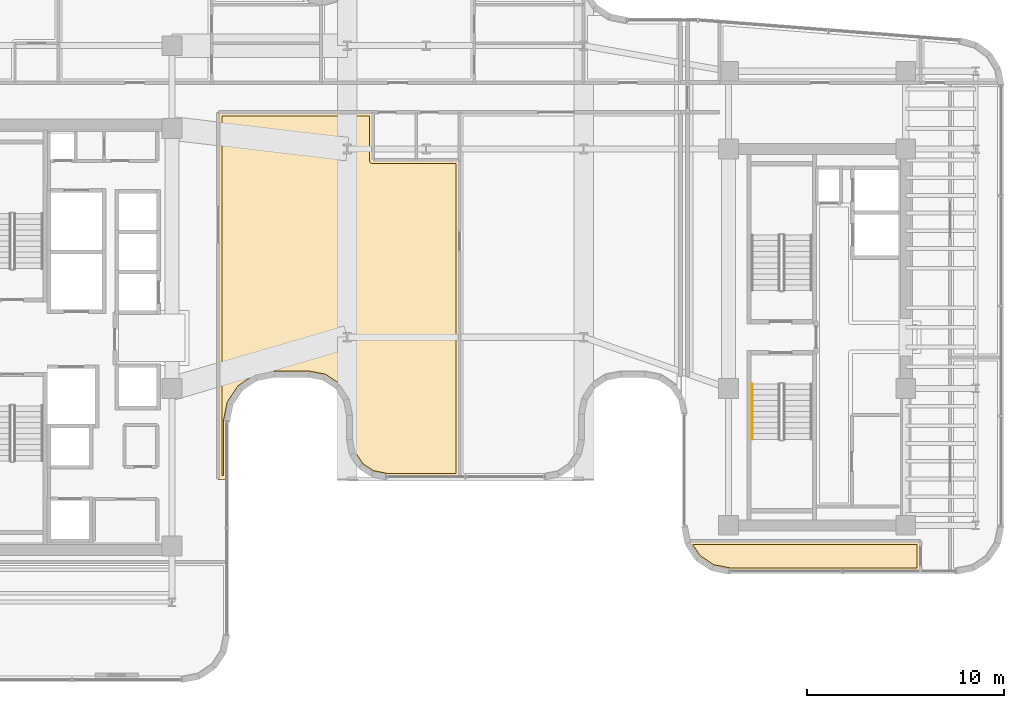
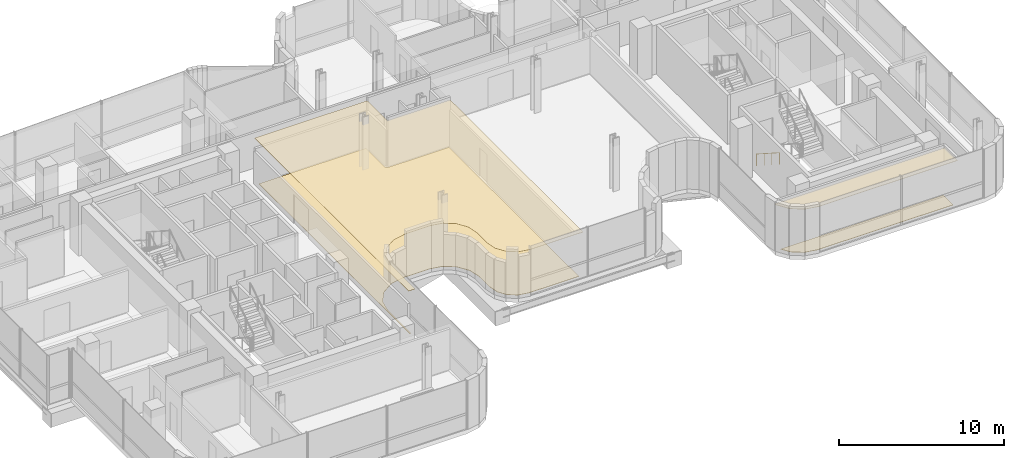
# One storey, part 34 of 38: 4 coverings, 1 railing.
"""IFC4 building model written with IfcOpenShell, lengths in metres."""

import ifcopenshell
import ifcopenshell.guid

model = None  # the IFC model being written
_history = None  # IfcOwnerHistory: only IFC2X3 demands one
_inside = {}  # id of a spatial element -> (the spatial element, [elements in it])
_under = {}  # id of a project, library or spatial element -> (it, [spatial elements below it])
_declared = {}  # id of a project -> (the project, [libraries it declares])
_typed = {}  # id of a type object -> (the type object, [elements of that type])
_made_of = {}  # id of a material, layer set ... -> (it, [elements and type objects made of it])


def new_model(schema):
    """Start an empty IFC model of exactly this schema.

    Asked for "IFC4X3", IfcOpenShell would pick the latest addendum, in which some entities
    have other attributes; the version numbers below select the first issue.
    IFC2X3 requires an IfcOwnerHistory on every rooted entity: one is made here for all.
    """
    global model, _history
    if schema == "IFC4X3":
        model = ifcopenshell.file(schema_version=(4, 3, 0, 0))
    else:
        model = ifcopenshell.file(schema=schema)
    _inside.clear()
    _under.clear()
    _declared.clear()
    _typed.clear()
    _made_of.clear()
    _history = None
    if model.schema == "IFC2X3":
        org = make("IfcOrganization", Name="unknown")
        user = make(
            "IfcPersonAndOrganization",
            ThePerson=make("IfcPerson", FamilyName="unknown"),
            TheOrganization=org,
        )
        app = make(
            "IfcApplication",
            ApplicationDeveloper=org,
            Version="unknown",
            ApplicationFullName="unknown",
            ApplicationIdentifier="unknown",
        )
        _history = make(
            "IfcOwnerHistory",
            OwningUser=user,
            OwningApplication=app,
            ChangeAction="ADDED",
            CreationDate=0,
        )
    return model


def make(cls, **values):
    """One entity of the class cls with the attributes given. An attribute that is None is left unset."""
    return model.create_entity(
        cls, **{name: value for name, value in values.items() if value is not None}
    )


def rooted(cls, **values):
    """An entity with a GlobalId (a new one), such as an element, a storey or a relation."""
    return make(cls, GlobalId=ifcopenshell.guid.new(), OwnerHistory=_history, **values)


def si_unit(unit_type, name, prefix=None):
    """IfcSIUnit, for example si_unit("LENGTHUNIT", "METRE", prefix="MILLI")."""
    return make("IfcSIUnit", UnitType=unit_type, Prefix=prefix, Name=name)


def assignment(units):
    """IfcUnitAssignment: the units of a project."""
    return None if units is None else make("IfcUnitAssignment", Units=units)


def point(xyz):
    """IfcCartesianPoint."""
    return None if xyz is None else make("IfcCartesianPoint", Coordinates=xyz)


def direction(xyz):
    """IfcDirection."""
    return None if xyz is None else make("IfcDirection", DirectionRatios=xyz)


def frame(location, z_axis=None, x_axis=None):
    """IfcAxis2Placement3D, a coordinate frame: its origin and axes. An axis left out is left unset."""
    return make(
        "IfcAxis2Placement3D",
        Location=point(location),
        Axis=direction(z_axis),
        RefDirection=direction(x_axis),
    )


def frame_2d(location, x_axis=None):
    """IfcAxis2Placement2D, a coordinate frame in the plane: its origin and x axis."""
    return make(
        "IfcAxis2Placement2D", Location=point(location), RefDirection=direction(x_axis)
    )


def origin():
    """The frame at (0, 0, 0) with its axes left unset."""
    return frame((0.0, 0.0, 0.0))


def origin_2d():
    """The frame at (0, 0) in the plane with its x axis left unset."""
    return frame_2d((0.0, 0.0))


def place(relative_to, where):
    """IfcLocalPlacement: puts the frame where relative to a parent placement (None: the world)."""
    return make(
        "IfcLocalPlacement", PlacementRelTo=relative_to, RelativePlacement=where
    )


def context(
    kind, dimensions, precision=None, world=None, true_north=None, identifier=None
):
    """IfcGeometricRepresentationContext, for example the 3D "Model" context."""
    return make(
        "IfcGeometricRepresentationContext",
        ContextIdentifier=identifier,
        ContextType=kind,
        CoordinateSpaceDimension=dimensions,
        Precision=precision,
        WorldCoordinateSystem=world,
        TrueNorth=true_north,
    )


def subcontext(parent, identifier, kind, view, scale=None):
    """IfcGeometricRepresentationSubContext, for example "Body" below "Model"."""
    return make(
        "IfcGeometricRepresentationSubContext",
        ContextIdentifier=identifier,
        ContextType=kind,
        ParentContext=parent,
        TargetScale=scale,
        TargetView=view,
    )


def project(units=None, contexts=None):
    """IfcProject with its units and contexts."""
    return rooted(
        "IfcProject",
        Name="project",
        RepresentationContexts=contexts,
        UnitsInContext=assignment(units),
    )


def spatial(cls, under=None, at=None, **own):
    """A site, building, storey or space (cls), placed at a placement, below another one or the project."""
    s = rooted(cls, ObjectPlacement=at, **own)
    if under is not None:
        _under.setdefault(under.id(), (under, []))[1].append(s)
    return s


def polyline(points):
    """IfcPolyline through the points."""
    return make("IfcPolyline", Points=[point(p) for p in points])


def profile(cls, at=None, kind="AREA", **sizes):
    """A parametric profile (cls). Its sizes go by their IFC names, for example OverallWidth=200.0."""
    return make(cls, ProfileType=kind, Position=at, **sizes)


def circle(**sizes):
    """IfcCircleProfileDef."""
    return profile("IfcCircleProfileDef", **sizes)


def outline(outer, holes=None, kind="AREA"):
    """IfcArbitraryClosedProfileDef: a profile drawn as a closed curve; with holes, ...WithVoids."""
    if holes is None:
        return make("IfcArbitraryClosedProfileDef", ProfileType=kind, OuterCurve=outer)
    return make(
        "IfcArbitraryProfileDefWithVoids",
        ProfileType=kind,
        OuterCurve=outer,
        InnerCurves=holes,
    )


def extrude(swept, where, along, depth):
    """IfcExtrudedAreaSolid: the profile swept, set in the frame where, extruded along a direction by depth."""
    return make(
        "IfcExtrudedAreaSolid",
        SweptArea=swept,
        Position=where,
        ExtrudedDirection=direction(along),
        Depth=depth,
    )


def shape(context_of_items, identifier, shape_type, items):
    """IfcShapeRepresentation: the items that make up one representation, for example the "Body"."""
    return make(
        "IfcShapeRepresentation",
        ContextOfItems=context_of_items,
        RepresentationIdentifier=identifier,
        RepresentationType=shape_type,
        Items=items,
    )


def material(Name=None, Category=None):
    """IfcMaterial."""
    return make("IfcMaterial", Name=Name, Category=Category)


def layer(
    of_material, thickness, ventilated=None, Name=None, Category=None, Priority=None
):
    """IfcMaterialLayer: one layer of a wall or slab, of a material (None: an air gap)."""
    return make(
        "IfcMaterialLayer",
        Material=of_material,
        LayerThickness=thickness,
        IsVentilated=ventilated,
        Name=Name,
        Category=Category,
        Priority=Priority,
    )


def layer_set(layers, Name=None):
    """IfcMaterialLayerSet."""
    return make("IfcMaterialLayerSet", MaterialLayers=layers, LayerSetName=Name)


def made_of(thing, what):
    """Note that an element or type object is made of a material, layer set ...; save() writes the relation."""
    if what is not None:
        _made_of.setdefault(what.id(), (what, []))[1].append(thing)
    return thing


def type_object(cls, material=None, **own):
    """A type object (cls), such as IfcWallType, which elements share."""
    return made_of(rooted(cls, **own), material)


def element(
    cls,
    number,
    at=None,
    inside=None,
    cuts=None,
    type_object=None,
    material=None,
    context=None,
    identifier="Body",
    shape_type=None,
    held_by="IfcProductDefinitionShape",
    body=None,
    shapes=None,
    **own,
):
    """One element of the class cls, such as IfcWall. Its Tag is "e" and its number.

    at: its placement. inside: the storey or other place that contains it. cuts: it is an
    opening in that element (IfcRelVoidsElement). A single representation is given by context,
    identifier, shape_type and body (its items); several are given by shapes. held_by: the class
    of the entity that holds the representations. save() writes the other relations.
    """
    e = rooted(cls, Tag="e%d" % number, ObjectPlacement=at, **own)
    if body is not None:
        shapes = [shape(context, identifier, shape_type, body)]
    if shapes is not None:
        e.Representation = make(held_by, Representations=shapes)
    if inside is not None:
        _inside.setdefault(inside.id(), (inside, []))[1].append(e)
    if cuts is not None:
        rooted(
            "IfcRelVoidsElement", RelatingBuildingElement=cuts, RelatedOpeningElement=e
        )
    if type_object is not None:
        _typed.setdefault(type_object.id(), (type_object, []))[1].append(e)
    return made_of(e, material)


def aggregate(whole, parts):
    """IfcRelAggregates: a whole, such as a stair, and the parts it consists of."""
    return rooted("IfcRelAggregates", RelatingObject=whole, RelatedObjects=parts)


def save(model, path):
    """Write the relations noted so far, then the file.

    IfcRelAggregates (storeys below a building ...), IfcRelContainedInSpatialStructure (elements
    in a storey), IfcRelDefinesByType, IfcRelAssociatesMaterial and IfcRelDeclares: one each for
    every whole, place, type object, material and project.
    """
    for whole, parts in _under.values():
        aggregate(whole, parts)
    for where, things in _inside.values():
        rooted(
            "IfcRelContainedInSpatialStructure",
            RelatedElements=things,
            RelatingStructure=where,
        )
    for kind, things in _typed.values():
        rooted("IfcRelDefinesByType", RelatedObjects=things, RelatingType=kind)
    for what, things in _made_of.values():
        rooted("IfcRelAssociatesMaterial", RelatedObjects=things, RelatingMaterial=what)
    for by, libraries in _declared.values():
        rooted("IfcRelDeclares", RelatingContext=by, RelatedDefinitions=libraries)
    model.write(path)


model = new_model("IFC4")

# Units and contexts
model_context = context("Model", 3, precision=1e-05, world=origin(), true_north=direction((0.0, 1.0)))
body_context = subcontext(model_context, "Body", "Model", "MODEL_VIEW")
ifc_project = project(units=[si_unit("LENGTHUNIT", "METRE"), si_unit("AREAUNIT", "SQUARE_METRE"), si_unit("VOLUMEUNIT", "CUBIC_METRE"), si_unit("PLANEANGLEUNIT", "RADIAN"), si_unit("MASSUNIT", "GRAM", prefix="KILO")], contexts=[model_context])

# Site, building, storey
site_placement = place(None, origin())
site = spatial("IfcSite", under=ifc_project, at=site_placement, CompositionType="ELEMENT")
building_placement = place(site_placement, origin())
building = spatial("IfcBuilding", under=site, at=building_placement, Name="Valdorenza Pilgrim Sanctuary Tower", CompositionType="ELEMENT")
storey_placement = place(building_placement, frame((0.0, 0.0, 180.5)))
storey = spatial("IfcBuildingStorey", under=building, at=storey_placement, Name="L46", CompositionType="ELEMENT", Elevation=180.5)

# Coverings
ifc_material_1 = material(Name="Micro-perforated acoustic mineral ceiling tile", Category="gypsum")
ifc_layer_1 = layer(ifc_material_1, 0.02490234375, Name="Micro-perforated acoustic mineral ceiling tile")
ifc_layer_set_1 = layer_set([ifc_layer_1], Name="Micro-perforated acoustic mineral ceiling tile")
covering_type_1 = type_object("IfcCoveringType", Name="COV-CLG-ACU", PredefinedType="CEILING", material=ifc_layer_set_1)
covering_1_placement = place(storey_placement, frame((0.0, 0.0, 3.330078125)))
element("IfcCovering", 1, at=covering_1_placement, inside=storey, type_object=covering_type_1, Name="L46 Congregational Prayer Hall Acoustic Ceiling", PredefinedType="CEILING", context=body_context, shape_type="SweptSolid", body=[
    extrude(outline(polyline([(-10.06494140625, 11.419921875), (-10.06494140625, 11.42138671875), (-10.064697265625, 11.4228515625), (-10.064453125, 11.42431640625), (-10.06396484375, 11.42578125), (-10.063232421875, 11.427001953125), (-10.0625, 11.42822265625), (-10.0615234375, 11.429443359375), (-10.060546875, 11.4306640625), (-10.0595703125, 11.431640625), (-10.058349609375, 11.4326171875), (-10.05712890625, 11.43310546875), (-10.0556640625, 11.433837890625), (-10.054443359375, 11.434326171875), (-10.052978515625, 11.434814453125), (-10.051513671875, 11.434814453125), (-10.050048828125, 11.43505859375), (-2.201904296875, 11.43505859375), (-2.200439453125, 11.434814453125), (-2.19921875, 11.434814453125), (-2.197509765625, 11.434326171875), (-2.1962890625, 11.433837890625), (-2.19482421875, 11.43310546875), (-2.193603515625, 11.4326171875), (-2.1923828125, 11.431640625), (-2.19140625, 11.4306640625), (-2.1904296875, 11.429443359375), (-2.189453125, 11.42822265625), (-2.188720703125, 11.427001953125), (-2.18798828125, 11.42578125), (-2.1875, 11.42431640625), (-2.187255859375, 11.4228515625), (-2.18701171875, 11.42138671875), (-2.18701171875, 11.419921875), (-2.18701171875, 9.012939453125), (-0.001708984375, 9.012939453125), (-0.001220703125, 9.01318359375), (0.00048828125, 9.01318359375), (0.001953125, 9.01318359375), (0.00341796875, 9.01318359375), (0.00390625, 9.012939453125), (2.199951171875, 9.012939453125), (2.201416015625, 9.012939453125), (2.202880859375, 9.0126953125), (2.204345703125, 9.012451171875), (2.205810546875, 9.011962890625), (2.20703125, 9.01123046875), (2.208251953125, 9.010498046875), (2.20947265625, 9.009521484375), (2.210693359375, 9.008544921875), (2.211669921875, 9.007568359375), (2.21240234375, 9.00634765625), (2.213134765625, 9.005126953125), (2.2138671875, 9.003662109375), (2.21435546875, 9.00244140625), (2.214599609375, 9.0009765625), (2.21484375, 8.99951171875), (2.215087890625, 8.998046875), (2.215087890625, -7.090087890625), (2.21484375, -7.091552734375), (2.214599609375, -7.093017578125), (2.21435546875, -7.094482421875), (2.2138671875, -7.095703125), (2.213134765625, -7.09716796875), (2.21240234375, -7.098388671875), (2.211669921875, -7.099609375), (2.210693359375, -7.1005859375), (2.20947265625, -7.1015625), (2.208251953125, -7.1025390625), (2.20703125, -7.103271484375), (2.205810546875, -7.10400390625), (2.204345703125, -7.1044921875), (2.202880859375, -7.104736328125), (2.201416015625, -7.10498046875), (2.199951171875, -7.10498046875), (-1.51318359375, -7.10498046875), (-1.5146484375, -7.10498046875), (-1.51611328125, -7.104736328125), (-2.240234375, -6.960693359375), (-2.24169921875, -6.960205078125), (-2.242919921875, -6.959716796875), (-2.244384765625, -6.959228515625), (-2.24560546875, -6.95849609375), (-2.85009765625, -6.554443359375), (-2.851318359375, -6.553466796875), (-2.8525390625, -6.552490234375), (-2.853515625, -6.551513671875), (-2.8544921875, -6.55029296875), (-3.258544921875, -5.945556640625), (-3.25927734375, -5.9443359375), (-3.259765625, -5.943115234375), (-3.26025390625, -5.941650390625), (-3.2607421875, -5.940185546875), (-3.40478515625, -5.216064453125), (-3.40478515625, -5.214599609375), (-3.405029296875, -5.213134765625), (-3.405029296875, -3.976318359375), (-3.405517578125, -3.966796875), (-3.406982421875, -3.95703125), (-3.55712890625, -3.20166015625), (-3.5595703125, -3.192138671875), (-3.5625, -3.183349609375), (-3.566650390625, -3.175048828125), (-3.571533203125, -3.166748046875), (-3.99951171875, -2.5263671875), (-4.00537109375, -2.5185546875), (-4.01171875, -2.51171875), (-4.0185546875, -2.50537109375), (-4.0263671875, -2.49951171875), (-4.666748046875, -2.071533203125), (-4.675048828125, -2.066650390625), (-4.683349609375, -2.0625), (-4.692138671875, -2.0595703125), (-4.70166015625, -2.05712890625), (-5.45703125, -1.906982421875), (-5.466796875, -1.905517578125), (-5.476318359375, -1.905029296875), (-7.219482421875, -1.905029296875), (-7.229248046875, -1.905517578125), (-7.239013671875, -1.906982421875), (-8.110595703125, -2.080322265625), (-8.1201171875, -2.082763671875), (-8.12890625, -2.085693359375), (-8.13720703125, -2.08984375), (-8.1455078125, -2.0947265625), (-8.884765625, -2.588623046875), (-8.892578125, -2.594482421875), (-8.8994140625, -2.6005859375), (-8.905517578125, -2.607421875), (-8.911376953125, -2.615234375), (-9.4052734375, -3.3544921875), (-9.41015625, -3.36279296875), (-9.414306640625, -3.37109375), (-9.417236328125, -3.3798828125), (-9.419677734375, -3.389404296875), (-9.593017578125, -4.260986328125), (-9.594482421875, -4.270751953125), (-9.594970703125, -4.280517578125), (-9.594970703125, -7.199951171875), (-9.59521484375, -7.201416015625), (-9.59521484375, -7.202880859375), (-9.595703125, -7.204345703125), (-9.59619140625, -7.205810546875), (-9.5966796875, -7.20703125), (-9.597412109375, -7.208251953125), (-9.598388671875, -7.20947265625), (-9.599365234375, -7.210693359375), (-9.6005859375, -7.211669921875), (-9.601806640625, -7.21240234375), (-9.602783203125, -7.213134765625), (-9.604248046875, -7.2138671875), (-9.605712890625, -7.21435546875), (-9.607177734375, -7.214599609375), (-9.6083984375, -7.21484375), (-9.610107421875, -7.215087890625), (-10.050048828125, -7.215087890625), (-10.051513671875, -7.21484375), (-10.052978515625, -7.214599609375), (-10.054443359375, -7.21435546875), (-10.0556640625, -7.2138671875), (-10.05712890625, -7.213134765625), (-10.058349609375, -7.21240234375), (-10.0595703125, -7.211669921875), (-10.060546875, -7.210693359375), (-10.0615234375, -7.20947265625), (-10.0625, -7.208251953125), (-10.063232421875, -7.20703125), (-10.06396484375, -7.205810546875), (-10.064453125, -7.204345703125), (-10.064697265625, -7.202880859375), (-10.06494140625, -7.201416015625), (-10.06494140625, -7.199951171875), (-10.06494140625, 11.419921875)])), origin(), (0.0, 0.0, 1.0), 0.02490234375),
])
covering_2_placement = place(storey_placement, frame((0.0, 0.0, 3.330078125)))
element("IfcCovering", 2, at=covering_2_placement, inside=storey, type_object=covering_type_1, Name="L46 Sacred Manuscript Archive L46-BS Acoustic Ceiling", PredefinedType="CEILING", context=body_context, shape_type="SweptSolid", body=[
    extrude(outline(polyline([(25.614990234375, -11.889892578125), (25.614990234375, -11.8916015625), (25.61474609375, -11.892822265625), (25.614501953125, -11.894287109375), (25.614013671875, -11.895751953125), (25.61328125, -11.897216796875), (25.612548828125, -11.898193359375), (25.611572265625, -11.8994140625), (25.610595703125, -11.900634765625), (25.609619140625, -11.901611328125), (25.6083984375, -11.902587890625), (25.607177734375, -11.9033203125), (25.605712890625, -11.90380859375), (25.6044921875, -11.904296875), (25.602783203125, -11.90478515625), (25.6015625, -11.90478515625), (25.60009765625, -11.905029296875), (15.910888671875, -11.905029296875), (15.909423828125, -11.90478515625), (15.907958984375, -11.90478515625), (15.021484375, -11.728515625), (15.020263671875, -11.72802734375), (15.018798828125, -11.7275390625), (15.017333984375, -11.726806640625), (15.01611328125, -11.726318359375), (14.27392578125, -11.230224609375), (14.272705078125, -11.2294921875), (14.271484375, -11.228515625), (14.2705078125, -11.227294921875), (14.269775390625, -11.22607421875), (13.773681640625, -10.48388671875), (13.773193359375, -10.482666015625), (13.7724609375, -10.481201171875), (13.77197265625, -10.479736328125), (13.771484375, -10.478515625), (13.74658203125, -10.352783203125), (13.746337890625, -10.3515625), (13.746337890625, -10.35009765625), (13.746337890625, -10.348388671875), (13.74658203125, -10.34716796875), (13.7470703125, -10.345703125), (13.74755859375, -10.34423828125), (13.748046875, -10.343017578125), (13.748779296875, -10.341796875), (13.749755859375, -10.340576171875), (13.750732421875, -10.33935546875), (13.751708984375, -10.33837890625), (13.7529296875, -10.33740234375), (13.75439453125, -10.3369140625), (13.755615234375, -10.336181640625), (13.757080078125, -10.335693359375), (13.75830078125, -10.335205078125), (13.760009765625, -10.335205078125), (13.761474609375, -10.3349609375), (25.60009765625, -10.3349609375), (25.6015625, -10.335205078125), (25.602783203125, -10.335205078125), (25.6044921875, -10.335693359375), (25.605712890625, -10.336181640625), (25.607177734375, -10.3369140625), (25.6083984375, -10.33740234375), (25.609619140625, -10.33837890625), (25.610595703125, -10.33935546875), (25.611572265625, -10.340576171875), (25.612548828125, -10.341796875), (25.61328125, -10.343017578125), (25.614013671875, -10.34423828125), (25.614501953125, -10.345703125), (25.61474609375, -10.34716796875), (25.614990234375, -10.348388671875), (25.614990234375, -10.35009765625), (25.614990234375, -11.889892578125)])), origin(), (0.0, 0.0, 1.0), 0.02490234375),
])
ifc_material_2 = material(Name="Honed travertine stone flooring", Category="masonry")
ifc_layer_2 = layer(ifc_material_2, 0.030029296875, Name="Honed travertine stone flooring")
ifc_layer_set_2 = layer_set([ifc_layer_2], Name="Honed travertine stone flooring")
covering_type_2 = type_object("IfcCoveringType", Name="COV-FLR-TRV", PredefinedType="FLOORING", material=ifc_layer_set_2)
covering_3_placement = place(storey_placement, origin())
element("IfcCovering", 3, at=covering_3_placement, inside=storey, type_object=covering_type_2, Name="L46 Congregational Prayer Hall Flooring", PredefinedType="FLOORING", context=body_context, shape_type="SweptSolid", body=[
    extrude(outline(polyline([(-9.8701171875, 11.239990234375), (-2.382080078125, 11.239990234375), (-2.382080078125, 9.0), (-2.3818359375, 8.9912109375), (-2.3818359375, 8.990966796875), (-2.3798828125, 8.973388671875), (-2.3798828125, 8.97314453125), (-2.376708984375, 8.955810546875), (-2.37646484375, 8.955810546875), (-2.371337890625, 8.938720703125), (-2.371337890625, 8.938720703125), (-2.364501953125, 8.92236328125), (-2.364501953125, 8.922119140625), (-2.356201171875, 8.906494140625), (-2.356201171875, 8.906494140625), (-2.34619140625, 8.8916015625), (-2.34619140625, 8.8916015625), (-2.3349609375, 8.8779296875), (-2.334716796875, 8.877685546875), (-2.322265625, 8.865234375), (-2.322021484375, 8.864990234375), (-2.30859375, 8.85400390625), (-2.308349609375, 8.853759765625), (-2.293701171875, 8.843994140625), (-2.29345703125, 8.84375), (-2.27783203125, 8.83544921875), (-2.277587890625, 8.83544921875), (-2.261474609375, 8.82861328125), (-2.26123046875, 8.82861328125), (-2.244384765625, 8.823486328125), (-2.244140625, 8.823486328125), (-2.226806640625, 8.820068359375), (-2.2265625, 8.820068359375), (-2.208984375, 8.818115234375), (-2.208740234375, 8.818115234375), (-2.199951171875, 8.818115234375), (0.0, 8.818115234375), (0.0009765625, 8.818115234375), (0.001708984375, 8.818115234375), (0.001953125, 8.818115234375), (2.02001953125, 8.818115234375), (2.02001953125, -6.909912109375), (-1.495361328125, -6.909912109375), (-2.1669921875, -6.7763671875), (-2.712158203125, -6.412109375), (-3.076416015625, -5.866943359375), (-3.2099609375, -5.1953125), (-3.2099609375, -3.97607421875), (-3.210205078125, -3.96728515625), (-3.210693359375, -3.956298828125), (-3.21240234375, -3.938720703125), (-3.214111328125, -3.927978515625), (-3.215576171875, -3.91943359375), (-3.365966796875, -3.1630859375), (-3.367919921875, -3.154541015625), (-3.37060546875, -3.14404296875), (-3.375732421875, -3.127197265625), (-3.37939453125, -3.1171875), (-3.385986328125, -3.1005859375), (-3.390625, -3.091064453125), (-3.39892578125, -3.075439453125), (-3.404541015625, -3.066162109375), (-3.4091796875, -3.05859375), (-3.837646484375, -2.417724609375), (-3.8427734375, -2.410400390625), (-3.84912109375, -2.40185546875), (-3.8603515625, -2.38818359375), (-3.86767578125, -2.380126953125), (-3.880126953125, -2.36767578125), (-3.88818359375, -2.3603515625), (-3.90185546875, -2.34912109375), (-3.910400390625, -2.3427734375), (-3.917724609375, -2.337646484375), (-4.55859375, -1.9091796875), (-4.566162109375, -1.904541015625), (-4.575439453125, -1.89892578125), (-4.591064453125, -1.890625), (-4.6005859375, -1.885986328125), (-4.6171875, -1.87939453125), (-4.627197265625, -1.875732421875), (-4.64404296875, -1.87060546875), (-4.654541015625, -1.867919921875), (-4.6630859375, -1.865966796875), (-5.41943359375, -1.715576171875), (-5.427978515625, -1.714111328125), (-5.438720703125, -1.71240234375), (-5.456298828125, -1.710693359375), (-5.46728515625, -1.710205078125), (-5.47607421875, -1.7099609375), (-7.219970703125, -1.7099609375), (-7.228759765625, -1.710205078125), (-7.239501953125, -1.710693359375), (-7.257080078125, -1.71240234375), (-7.267822265625, -1.714111328125), (-7.276611328125, -1.715576171875), (-8.149169921875, -1.88916015625), (-8.15771484375, -1.89111328125), (-8.168212890625, -1.893798828125), (-8.18505859375, -1.89892578125), (-8.1953125, -1.902587890625), (-8.211669921875, -1.9091796875), (-8.22119140625, -1.913818359375), (-8.23681640625, -1.922119140625), (-8.24609375, -1.927734375), (-8.253662109375, -1.9326171875), (-8.993408203125, -2.4267578125), (-9.00048828125, -2.431884765625), (-9.00927734375, -2.438232421875), (-9.02294921875, -2.449462890625), (-9.031005859375, -2.45654296875), (-9.04345703125, -2.468994140625), (-9.050537109375, -2.47705078125), (-9.061767578125, -2.49072265625), (-9.068115234375, -2.49951171875), (-9.0732421875, -2.506591796875), (-9.5673828125, -3.246337890625), (-9.572265625, -3.25390625), (-9.577880859375, -3.26318359375), (-9.586181640625, -3.27880859375), (-9.5908203125, -3.288330078125), (-9.597412109375, -3.3046875), (-9.60107421875, -3.31494140625), (-9.606201171875, -3.331787109375), (-9.60888671875, -3.34228515625), (-9.61083984375, -3.350830078125), (-9.784423828125, -4.223388671875), (-9.785888671875, -4.232177734375), (-9.78759765625, -4.242919921875), (-9.789306640625, -4.260498046875), (-9.789794921875, -4.271240234375), (-9.7900390625, -4.280029296875), (-9.7900390625, -7.02001953125), (-9.8701171875, -7.02001953125), (-9.8701171875, 11.239990234375)])), origin(), (0.0, 0.0, 1.0), 0.02490234375),
])
covering_4_placement = place(storey_placement, origin())
element("IfcCovering", 4, at=covering_4_placement, inside=storey, type_object=covering_type_2, Name="L46 Sacred Manuscript Archive L46-BS Flooring", PredefinedType="FLOORING", context=body_context, shape_type="SweptSolid", body=[
    extrude(outline(polyline([(14.039306640625, -10.530029296875), (25.419921875, -10.530029296875), (25.419921875, -11.7099609375), (15.9287109375, -11.7099609375), (15.0947265625, -11.544189453125), (14.412109375, -11.087890625), (14.039306640625, -10.530029296875)])), origin(), (0.0, 0.0, 1.0), 0.02490234375),
])

# Railing
ifc_material_3 = material(Name="Brushed stainless steel Grade 316", Category="steel")
railing_type = type_object("IfcRailingType", Name="RLG-HND-920", PredefinedType="HANDRAIL", material=ifc_material_3)
railing_placement = place(storey_placement, frame((17.050048828125, -2.3798828125, 0.179443359375)))
element("IfcRailing", 5, at=railing_placement, inside=storey, type_object=railing_type, Name="L46 ST-B2 stair handrail 1", PredefinedType="HANDRAIL", context=body_context, shape_type="SweptSolid", body=[
    extrude(circle(Radius=0.02392578125, at=origin_2d()), frame((0.0, 0.0, 0.8759765625), z_axis=(0.0, -0.841776520102, 0.539826166654), x_axis=(1.0, 0.0, 0.0)), (0.0, 0.0, 1.0), 3.326416015625),
    extrude(circle(Radius=0.02099609375, at=origin_2d()), origin(), (0.0, 0.0, 1.0), 0.851806640625),
    extrude(circle(Radius=0.02099609375, at=origin_2d()), frame((0.0, -0.933349609375, 0.5986328125)), (0.0, 0.0, 1.0), 0.851806640625),
    extrude(circle(Radius=0.02099609375, at=origin_2d()), frame((0.0, -1.86669921875, 1.197021484375)), (0.0, 0.0, 1.0), 0.851806640625),
    extrude(circle(Radius=0.02099609375, at=origin_2d()), frame((0.0, -2.800048828125, 1.795654296875)), (0.0, 0.0, 1.0), 0.851806640625),
])

save(model, "model.ifc")
